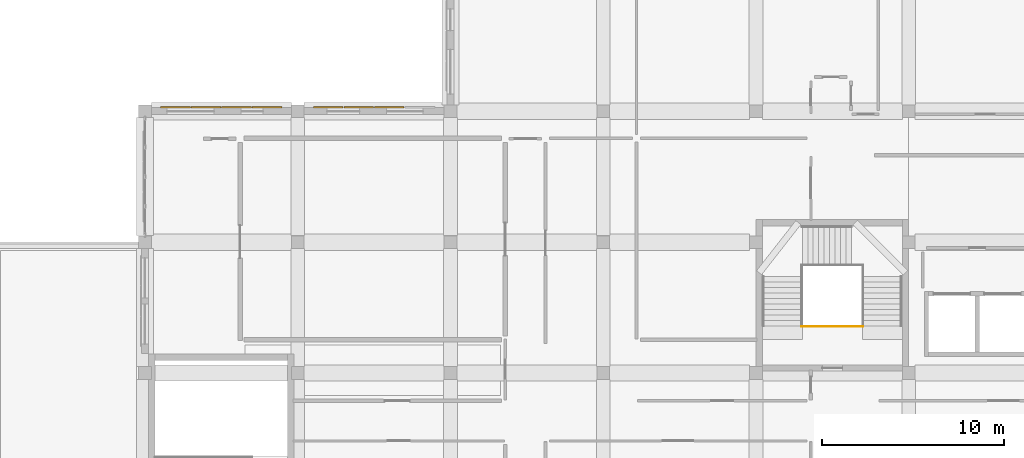
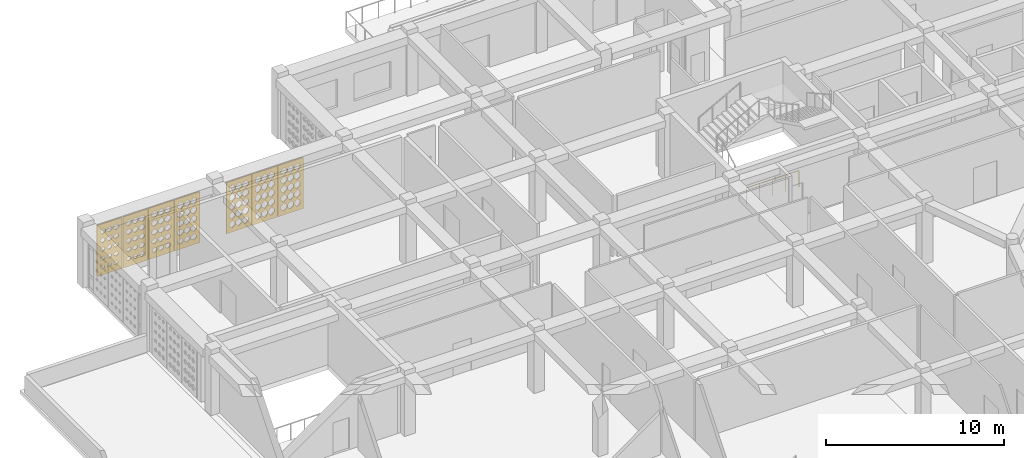
# One storey, part 70 of 79: 7 coverings, 1 railing.
"""IFC4 building model written with IfcOpenShell, lengths in metres."""

from ifc_helpers import new_model, si_unit, derived_unit, direction, frame, origin, origin_2d, place, context, subcontext, project, spatial, polyline, circle, outline, extrude, material, layer, layer_set, type_object, element, save


model = new_model("IFC4")

# Units and contexts
model_context = context("Model", 3, precision=1e-05, world=origin(), true_north=direction((0.0, 1.0)))
body_context = subcontext(model_context, "Body", "Model", "MODEL_VIEW")
ifc_project = project(units=[si_unit("LENGTHUNIT", "METRE"), si_unit("AREAUNIT", "SQUARE_METRE"), si_unit("VOLUMEUNIT", "CUBIC_METRE"), si_unit("PLANEANGLEUNIT", "RADIAN"), si_unit("MASSUNIT", "GRAM", prefix="KILO"), derived_unit("THERMALTRANSMITTANCEUNIT", [(si_unit("POWERUNIT", "WATT"), 1), (si_unit("LENGTHUNIT", "METRE"), -2), (si_unit("THERMODYNAMICTEMPERATUREUNIT", "KELVIN"), -1)])], contexts=[model_context])

# Site, building, storey
site_placement = place(None, origin())
site = spatial("IfcSite", under=ifc_project, at=site_placement, CompositionType="ELEMENT")
building_placement = place(site_placement, origin())
building = spatial("IfcBuilding", under=site, at=building_placement, Name="Veybourne Emporium", CompositionType="ELEMENT")
storey_placement = place(building_placement, frame((0.0, 0.0, 18.89990234375)))
storey = spatial("IfcBuildingStorey", under=building, at=storey_placement, Name="L04", CompositionType="ELEMENT", Elevation=18.89990234375)

# Railing
ifc_material_1 = material(Name="Brushed Stainless Steel", Category="steel")
railing_type = type_object("IfcRailingType", Name="Guard_GR-01", PredefinedType="GUARDRAIL", material=ifc_material_1)
railing_placement = place(storey_placement, frame((52.909912109375, 74.56005859375, 0.0)))
element("IfcRailing", 1, at=railing_placement, inside=storey, type_object=railing_type, Name="L04 ST-03 stair guard 4", PredefinedType="GUARDRAIL", context=body_context, shape_type="SweptSolid", body=[
    extrude(circle(Radius=0.02392578125, at=origin_2d()), frame((0.0, 0.0, 1.1259765625), z_axis=(1.0, 0.0, 0.0), x_axis=(0.0, 1.0, 0.0)), (0.0, 0.0, 1.0), 3.380126953125),
    extrude(circle(Radius=0.02099609375, at=origin_2d()), origin(), (0.0, 0.0, 1.0), 1.101806640625),
    extrude(circle(Radius=0.02099609375, at=origin_2d()), frame((0.844970703125, 0.0, 0.0)), (0.0, 0.0, 1.0), 1.101806640625),
    extrude(circle(Radius=0.02099609375, at=origin_2d()), frame((1.68994140625, 0.0, 0.0)), (0.0, 0.0, 1.0), 1.101806640625),
    extrude(circle(Radius=0.02099609375, at=origin_2d()), frame((2.53515625, 0.0, 0.0)), (0.0, 0.0, 1.0), 1.101806640625),
    extrude(circle(Radius=0.02099609375, at=origin_2d()), frame((3.380126953125, 0.0, 0.0)), (0.0, 0.0, 1.0), 1.101806640625),
])

# Coverings
ifc_material_2 = material(Name="Warm-White Perforated Aluminium Screen Alloy", Category="aluminium")
ifc_layer_1 = layer(ifc_material_2, 0.06005859375)
ifc_layer_set_1 = layer_set([ifc_layer_1], Name="Warm-White Perforated Aluminium Screen Alloy")
covering_type_1 = type_object("IfcCoveringType", Name="WaveScreen_SCR-01", PredefinedType="CLADDING", material=ifc_layer_set_1)
covering_1_placement = place(storey_placement, frame((21.840087890625, 86.64794921875, 1.815185546875), z_axis=(0.0, -1.0, 0.0), x_axis=(1.0, 0.0, 0.0)))
element("IfcCovering", 2, at=covering_1_placement, inside=storey, type_object=covering_type_1, Name="L04 wave-perforated aluminium screen SCR-01 (17.3)", PredefinedType="CLADDING", context=body_context, shape_type="SweptSolid", body=[
    extrude(outline(polyline([(-0.81982421875, -1.7548828125), (0.81982421875, -1.7548828125), (0.81982421875, 1.7548828125), (-0.81982421875, 1.7548828125), (-0.81982421875, -1.7548828125)]), holes=[polyline([(-0.433349609375, -1.054443359375), (-0.28125, -1.16552734375), (-0.28125, -1.29052734375), (-0.433349609375, -1.401611328125), (-0.585205078125, -1.29052734375), (-0.585205078125, -1.16552734375), (-0.433349609375, -1.054443359375)]), polyline([(-0.433349609375, -0.426513671875), (-0.27001953125, -0.54638671875), (-0.27001953125, -0.681396484375), (-0.433349609375, -0.801513671875), (-0.5966796875, -0.681396484375), (-0.5966796875, -0.54638671875), (-0.433349609375, -0.426513671875)]), polyline([(-0.433349609375, 0.20166015625), (-0.25830078125, 0.072509765625), (-0.25830078125, -0.072509765625), (-0.433349609375, -0.20166015625), (-0.6083984375, -0.072509765625), (-0.6083984375, 0.072509765625), (-0.433349609375, 0.20166015625)]), polyline([(-0.433349609375, 0.82958984375), (-0.2470703125, 0.691650390625), (-0.2470703125, 0.536376953125), (-0.433349609375, 0.3984375), (-0.61962890625, 0.536376953125), (-0.61962890625, 0.691650390625), (-0.433349609375, 0.82958984375)]), polyline([(-0.433349609375, 1.456787109375), (-0.2470703125, 1.310302734375), (-0.2470703125, 1.1455078125), (-0.433349609375, 0.999267578125), (-0.61962890625, 1.1455078125), (-0.61962890625, 1.310302734375), (-0.433349609375, 1.456787109375)]), polyline([(0.0, -1.048095703125), (0.156982421875, -1.163330078125), (0.156982421875, -1.292724609375), (0.0, -1.40771484375), (-0.156982421875, -1.292724609375), (-0.156982421875, -1.163330078125), (0.0, -1.048095703125)]), polyline([(0.0, -0.419921875), (0.168701171875, -0.544189453125), (0.168701171875, -0.683837890625), (0.0, -0.80810546875), (-0.168701171875, -0.683837890625), (-0.168701171875, -0.544189453125), (0.0, -0.419921875)]), polyline([(0.0, 0.2080078125), (0.18017578125, 0.074951171875), (0.18017578125, -0.074951171875), (0.0, -0.2080078125), (-0.18017578125, -0.074951171875), (-0.18017578125, 0.074951171875), (0.0, 0.2080078125)]), polyline([(0.0, 0.835693359375), (0.186279296875, 0.69384765625), (0.186279296875, 0.5341796875), (0.0, 0.392333984375), (-0.186279296875, 0.5341796875), (-0.186279296875, 0.69384765625), (0.0, 0.835693359375)]), polyline([(0.0, 1.46240234375), (0.186279296875, 1.3125), (0.186279296875, 1.1435546875), (0.0, 0.993408203125), (-0.186279296875, 1.1435546875), (-0.186279296875, 1.3125), (0.0, 1.46240234375)]), polyline([(0.433349609375, -1.041748046875), (0.595703125, -1.160888671875), (0.595703125, -1.294921875), (0.433349609375, -1.414306640625), (0.27099609375, -1.294921875), (0.27099609375, -1.160888671875), (0.433349609375, -1.041748046875)]), polyline([(0.433349609375, -0.41357421875), (0.607421875, -0.5419921875), (0.607421875, -0.68603515625), (0.433349609375, -0.814453125), (0.259521484375, -0.68603515625), (0.259521484375, -0.5419921875), (0.433349609375, -0.41357421875)]), polyline([(0.433349609375, 0.21435546875), (0.61865234375, 0.0771484375), (0.61865234375, -0.0771484375), (0.433349609375, -0.21435546875), (0.248046875, -0.0771484375), (0.248046875, 0.0771484375), (0.433349609375, 0.21435546875)]), polyline([(0.433349609375, 0.841552734375), (0.61962890625, 0.69580078125), (0.61962890625, 0.531982421875), (0.433349609375, 0.386474609375), (0.2470703125, 0.531982421875), (0.2470703125, 0.69580078125), (0.433349609375, 0.841552734375)]), polyline([(0.433349609375, 1.468017578125), (0.61962890625, 1.314453125), (0.61962890625, 1.1416015625), (0.433349609375, 0.988037109375), (0.2470703125, 1.1416015625), (0.2470703125, 1.314453125), (0.433349609375, 1.468017578125)])]), origin(), (0.0, 0.0, 1.0), 0.06005859375),
])
ifc_layer_2 = layer(ifc_material_2, 0.06005859375)
ifc_layer_set_2 = layer_set([ifc_layer_2], Name="Warm-White Perforated Aluminium Screen Alloy")
covering_type_2 = type_object("IfcCoveringType", Name="WaveScreen_SCR-02", PredefinedType="CLADDING", material=ifc_layer_set_2)
covering_2_placement = place(storey_placement, frame((23.52001953125, 86.64794921875, 1.815185546875), z_axis=(0.0, -1.0, 0.0), x_axis=(1.0, 0.0, 0.0)))
element("IfcCovering", 3, at=covering_2_placement, inside=storey, type_object=covering_type_2, Name="L04 wave-perforated aluminium screen SCR-02 (17.4)", PredefinedType="CLADDING", context=body_context, shape_type="SweptSolid", body=[
    extrude(outline(polyline([(-0.81982421875, -1.7548828125), (0.81982421875, -1.7548828125), (0.81982421875, 1.7548828125), (-0.81982421875, 1.7548828125), (-0.81982421875, -1.7548828125)]), holes=[polyline([(-0.433349609375, -1.02978515625), (-0.260986328125, -1.156494140625), (-0.260986328125, -1.29931640625), (-0.433349609375, -1.42626953125), (-0.605712890625, -1.29931640625), (-0.605712890625, -1.156494140625), (-0.433349609375, -1.02978515625)]), polyline([(-0.433349609375, -0.401611328125), (-0.24951171875, -0.53759765625), (-0.24951171875, -0.6904296875), (-0.433349609375, -0.826416015625), (-0.616943359375, -0.6904296875), (-0.616943359375, -0.53759765625), (-0.433349609375, -0.401611328125)]), polyline([(-0.433349609375, 0.2255859375), (-0.2470703125, 0.081298828125), (-0.2470703125, -0.081298828125), (-0.433349609375, -0.2255859375), (-0.61962890625, -0.081298828125), (-0.61962890625, 0.081298828125), (-0.433349609375, 0.2255859375)]), polyline([(-0.433349609375, 0.85205078125), (-0.2470703125, 0.69970703125), (-0.2470703125, 0.5283203125), (-0.433349609375, 0.3759765625), (-0.61962890625, 0.5283203125), (-0.61962890625, 0.69970703125), (-0.433349609375, 0.85205078125)]), polyline([(-0.433349609375, 1.477294921875), (-0.2470703125, 1.317626953125), (-0.2470703125, 1.13818359375), (-0.433349609375, 0.978759765625), (-0.61962890625, 1.13818359375), (-0.61962890625, 1.317626953125), (-0.433349609375, 1.477294921875)]), polyline([(0.0, -1.023193359375), (0.177490234375, -1.154296875), (0.177490234375, -1.3017578125), (0.0, -1.4326171875), (-0.177490234375, -1.3017578125), (-0.177490234375, -1.154296875), (0.0, -1.023193359375)]), polyline([(0.0, -0.3955078125), (0.186279296875, -0.535400390625), (0.186279296875, -0.692626953125), (0.0, -0.83251953125), (-0.186279296875, -0.692626953125), (-0.186279296875, -0.535400390625), (0.0, -0.3955078125)]), polyline([(0.0, 0.2314453125), (0.186279296875, 0.083251953125), (0.186279296875, -0.083251953125), (0.0, -0.2314453125), (-0.186279296875, -0.083251953125), (-0.186279296875, 0.083251953125), (0.0, 0.2314453125)]), polyline([(0.0, 0.857421875), (0.186279296875, 0.70166015625), (0.186279296875, 0.5263671875), (0.0, 0.37060546875), (-0.186279296875, 0.5263671875), (-0.186279296875, 0.70166015625), (0.0, 0.857421875)]), polyline([(0.0, 1.481689453125), (0.186279296875, 1.3193359375), (0.186279296875, 1.13671875), (0.0, 0.974365234375), (-0.186279296875, 1.13671875), (-0.186279296875, 1.3193359375), (0.0, 1.481689453125)]), polyline([(0.433349609375, -1.01708984375), (0.615966796875, -1.152099609375), (0.615966796875, -1.303955078125), (0.433349609375, -1.43896484375), (0.250732421875, -1.303955078125), (0.250732421875, -1.152099609375), (0.433349609375, -1.01708984375)]), polyline([(0.433349609375, -0.389404296875), (0.61962890625, -0.533203125), (0.61962890625, -0.69482421875), (0.433349609375, -0.83837890625), (0.2470703125, -0.69482421875), (0.2470703125, -0.533203125), (0.433349609375, -0.389404296875)]), polyline([(0.433349609375, 0.237060546875), (0.61962890625, 0.085205078125), (0.61962890625, -0.085205078125), (0.433349609375, -0.237060546875), (0.2470703125, -0.085205078125), (0.2470703125, 0.085205078125), (0.433349609375, 0.237060546875)]), polyline([(0.433349609375, 0.8623046875), (0.61962890625, 0.703369140625), (0.61962890625, 0.524658203125), (0.433349609375, 0.36572265625), (0.2470703125, 0.524658203125), (0.2470703125, 0.703369140625), (0.433349609375, 0.8623046875)]), polyline([(0.433349609375, 1.48583984375), (0.61962890625, 1.32080078125), (0.61962890625, 1.13525390625), (0.433349609375, 0.97021484375), (0.2470703125, 1.13525390625), (0.2470703125, 1.32080078125), (0.433349609375, 1.48583984375)])]), origin(), (0.0, 0.0, 1.0), 0.06005859375),
])
covering_3_placement = place(storey_placement, frame((26.8798828125, 86.64794921875, 1.815185546875), z_axis=(0.0, -1.0, 0.0), x_axis=(1.0, 0.0, 0.0)))
element("IfcCovering", 4, at=covering_3_placement, inside=storey, type_object=covering_type_2, Name="L04 wave-perforated aluminium screen SCR-02 (20.1)", PredefinedType="CLADDING", context=body_context, shape_type="SweptSolid", body=[
    extrude(outline(polyline([(-0.81982421875, -1.7548828125), (0.81982421875, -1.7548828125), (0.81982421875, 1.7548828125), (-0.81982421875, 1.7548828125), (-0.81982421875, -1.7548828125)]), holes=[polyline([(-0.433349609375, -0.98388671875), (-0.2470703125, -1.14013671875), (-0.2470703125, -1.31591796875), (-0.433349609375, -1.47216796875), (-0.61962890625, -1.31591796875), (-0.61962890625, -1.14013671875), (-0.433349609375, -0.98388671875)]), polyline([(-0.433349609375, -0.359619140625), (-0.2470703125, -0.5224609375), (-0.2470703125, -0.70556640625), (-0.433349609375, -0.868408203125), (-0.61962890625, -0.70556640625), (-0.61962890625, -0.5224609375), (-0.433349609375, -0.359619140625)]), polyline([(-0.433349609375, 0.2626953125), (-0.2470703125, 0.094482421875), (-0.2470703125, -0.094482421875), (-0.433349609375, -0.2626953125), (-0.61962890625, -0.094482421875), (-0.61962890625, 0.094482421875), (-0.433349609375, 0.2626953125)]), polyline([(-0.433349609375, 0.8779296875), (-0.2470703125, 0.708984375), (-0.2470703125, 0.51904296875), (-0.433349609375, 0.35009765625), (-0.61962890625, 0.51904296875), (-0.61962890625, 0.708984375), (-0.433349609375, 0.8779296875)]), polyline([(-0.433349609375, 1.491943359375), (-0.2470703125, 1.322998046875), (-0.2470703125, 1.133056640625), (-0.433349609375, 0.964111328125), (-0.61962890625, 1.133056640625), (-0.61962890625, 1.322998046875), (-0.433349609375, 1.491943359375)]), polyline([(0.0, -0.97900390625), (0.186279296875, -1.138427734375), (0.186279296875, -1.317626953125), (0.0, -1.476806640625), (-0.186279296875, -1.317626953125), (-0.186279296875, -1.138427734375), (0.0, -0.97900390625)]), polyline([(0.0, -0.355712890625), (0.186279296875, -0.52099609375), (0.186279296875, -0.70703125), (0.0, -0.872314453125), (-0.186279296875, -0.70703125), (-0.186279296875, -0.52099609375), (0.0, -0.355712890625)]), polyline([(0.0, 0.263916015625), (0.186279296875, 0.094970703125), (0.186279296875, -0.094970703125), (0.0, -0.263916015625), (-0.186279296875, -0.094970703125), (-0.186279296875, 0.094970703125), (0.0, 0.263916015625)]), polyline([(0.0, 0.8779296875), (0.186279296875, 0.708984375), (0.186279296875, 0.51904296875), (0.0, 0.35009765625), (-0.186279296875, 0.51904296875), (-0.186279296875, 0.708984375), (0.0, 0.8779296875)]), polyline([(0.0, 1.491943359375), (0.186279296875, 1.322998046875), (0.186279296875, 1.133056640625), (0.0, 0.964111328125), (-0.186279296875, 1.133056640625), (-0.186279296875, 1.322998046875), (0.0, 1.491943359375)]), polyline([(0.433349609375, -0.974609375), (0.61962890625, -1.13671875), (0.61962890625, -1.319091796875), (0.433349609375, -1.4814453125), (0.2470703125, -1.319091796875), (0.2470703125, -1.13671875), (0.433349609375, -0.974609375)]), polyline([(0.433349609375, -0.351806640625), (0.61962890625, -0.519775390625), (0.61962890625, -0.708251953125), (0.433349609375, -0.876220703125), (0.2470703125, -0.708251953125), (0.2470703125, -0.519775390625), (0.433349609375, -0.351806640625)]), polyline([(0.433349609375, 0.263916015625), (0.61962890625, 0.094970703125), (0.61962890625, -0.094970703125), (0.433349609375, -0.263916015625), (0.2470703125, -0.094970703125), (0.2470703125, 0.094970703125), (0.433349609375, 0.263916015625)]), polyline([(0.433349609375, 0.8779296875), (0.61962890625, 0.708984375), (0.61962890625, 0.51904296875), (0.433349609375, 0.35009765625), (0.2470703125, 0.51904296875), (0.2470703125, 0.708984375), (0.433349609375, 0.8779296875)]), polyline([(0.433349609375, 1.491943359375), (0.61962890625, 1.322998046875), (0.61962890625, 1.133056640625), (0.433349609375, 0.964111328125), (0.2470703125, 1.133056640625), (0.2470703125, 1.322998046875), (0.433349609375, 1.491943359375)])]), origin(), (0.0, 0.0, 1.0), 0.06005859375),
])
ifc_layer_3 = layer(ifc_material_2, 0.06005859375)
ifc_layer_set_3 = layer_set([ifc_layer_3], Name="Warm-White Perforated Aluminium Screen Alloy")
covering_type_3 = type_object("IfcCoveringType", Name="WaveScreen_SCR-03", PredefinedType="CLADDING", material=ifc_layer_set_3)
covering_4_placement = place(storey_placement, frame((18.47998046875, 86.64794921875, 1.815185546875), z_axis=(0.0, -1.0, 0.0), x_axis=(1.0, 0.0, 0.0)))
element("IfcCovering", 5, at=covering_4_placement, inside=storey, type_object=covering_type_3, Name="L04 wave-perforated aluminium screen SCR-03 (17.1)", PredefinedType="CLADDING", context=body_context, shape_type="SweptSolid", body=[
    extrude(outline(polyline([(-0.81982421875, -1.7548828125), (0.81982421875, -1.7548828125), (0.81982421875, 1.7548828125), (-0.81982421875, 1.7548828125), (-0.81982421875, -1.7548828125)]), holes=[polyline([(-0.433349609375, -1.0966796875), (-0.31591796875, -1.180908203125), (-0.31591796875, -1.275146484375), (-0.433349609375, -1.359130859375), (-0.55078125, -1.275146484375), (-0.55078125, -1.180908203125), (-0.433349609375, -1.0966796875)]), polyline([(-0.433349609375, -0.472412109375), (-0.3076171875, -0.56298828125), (-0.3076171875, -0.6650390625), (-0.433349609375, -0.755615234375), (-0.55908203125, -0.6650390625), (-0.55908203125, -0.56298828125), (-0.433349609375, -0.472412109375)]), polyline([(-0.433349609375, 0.153564453125), (-0.2978515625, 0.05517578125), (-0.2978515625, -0.05517578125), (-0.433349609375, -0.153564453125), (-0.56884765625, -0.05517578125), (-0.56884765625, 0.05517578125), (-0.433349609375, 0.153564453125)]), polyline([(-0.433349609375, 0.780517578125), (-0.287109375, 0.673828125), (-0.287109375, 0.55419921875), (-0.433349609375, 0.447509765625), (-0.57958984375, 0.55419921875), (-0.57958984375, 0.673828125), (-0.433349609375, 0.780517578125)]), polyline([(-0.433349609375, 1.408203125), (-0.27587890625, 1.29296875), (-0.27587890625, 1.1630859375), (-0.433349609375, 1.0478515625), (-0.5908203125, 1.1630859375), (-0.5908203125, 1.29296875), (-0.433349609375, 1.408203125)]), polyline([(0.0, -1.09228515625), (0.12109375, -1.17919921875), (0.12109375, -1.27685546875), (0.0, -1.36376953125), (-0.12109375, -1.27685546875), (-0.12109375, -1.17919921875), (0.0, -1.09228515625)]), polyline([(0.0, -0.46728515625), (0.130126953125, -0.56103515625), (0.130126953125, -0.6669921875), (0.0, -0.7607421875), (-0.130126953125, -0.6669921875), (-0.130126953125, -0.56103515625), (0.0, -0.46728515625)]), polyline([(0.0, 0.1591796875), (0.140380859375, 0.057373046875), (0.140380859375, -0.057373046875), (0.0, -0.1591796875), (-0.140380859375, -0.057373046875), (-0.140380859375, 0.057373046875), (0.0, 0.1591796875)]), polyline([(0.0, 0.78662109375), (0.1513671875, 0.67626953125), (0.1513671875, 0.5517578125), (0.0, 0.44140625), (-0.1513671875, 0.5517578125), (-0.1513671875, 0.67626953125), (0.0, 0.78662109375)]), polyline([(0.0, 1.41455078125), (0.16259765625, 1.295166015625), (0.16259765625, 1.160888671875), (0.0, 1.04150390625), (-0.16259765625, 1.160888671875), (-0.16259765625, 1.295166015625), (0.0, 1.41455078125)]), polyline([(0.433349609375, -1.08740234375), (0.558349609375, -1.177490234375), (0.558349609375, -1.278564453125), (0.433349609375, -1.36865234375), (0.308349609375, -1.278564453125), (0.308349609375, -1.177490234375), (0.433349609375, -1.08740234375)]), polyline([(0.433349609375, -0.461669921875), (0.568115234375, -0.55908203125), (0.568115234375, -0.668701171875), (0.433349609375, -0.766357421875), (0.298583984375, -0.668701171875), (0.298583984375, -0.55908203125), (0.433349609375, -0.461669921875)]), polyline([(0.433349609375, 0.165283203125), (0.57861328125, 0.0595703125), (0.57861328125, -0.0595703125), (0.433349609375, -0.165283203125), (0.2880859375, -0.0595703125), (0.2880859375, 0.0595703125), (0.433349609375, 0.165283203125)]), polyline([(0.433349609375, 0.79296875), (0.589599609375, 0.678466796875), (0.589599609375, 0.549560546875), (0.433349609375, 0.43505859375), (0.27685546875, 0.549560546875), (0.27685546875, 0.678466796875), (0.433349609375, 0.79296875)]), polyline([(0.433349609375, 1.421142578125), (0.601318359375, 1.297607421875), (0.601318359375, 1.158447265625), (0.433349609375, 1.034912109375), (0.265380859375, 1.158447265625), (0.265380859375, 1.297607421875), (0.433349609375, 1.421142578125)])]), origin(), (0.0, 0.0, 1.0), 0.06005859375),
])
covering_5_placement = place(storey_placement, frame((28.56005859375, 86.64794921875, 1.815185546875), z_axis=(0.0, -1.0, 0.0), x_axis=(1.0, 0.0, 0.0)))
element("IfcCovering", 6, at=covering_5_placement, inside=storey, type_object=covering_type_3, Name="L04 wave-perforated aluminium screen SCR-03 (20.2)", PredefinedType="CLADDING", context=body_context, shape_type="SweptSolid", body=[
    extrude(outline(polyline([(-0.81982421875, -1.7548828125), (0.81982421875, -1.7548828125), (0.81982421875, 1.7548828125), (-0.81982421875, 1.7548828125), (-0.81982421875, -1.7548828125)]), holes=[polyline([(-0.433349609375, -0.967041015625), (-0.2470703125, -1.134033203125), (-0.2470703125, -1.322021484375), (-0.433349609375, -1.489013671875), (-0.61962890625, -1.322021484375), (-0.61962890625, -1.134033203125), (-0.433349609375, -0.967041015625)]), polyline([(-0.433349609375, -0.35009765625), (-0.2470703125, -0.51904296875), (-0.2470703125, -0.708984375), (-0.433349609375, -0.8779296875), (-0.61962890625, -0.708984375), (-0.61962890625, -0.51904296875), (-0.433349609375, -0.35009765625)]), polyline([(-0.433349609375, 0.263916015625), (-0.2470703125, 0.094970703125), (-0.2470703125, -0.094970703125), (-0.433349609375, -0.263916015625), (-0.61962890625, -0.094970703125), (-0.61962890625, 0.094970703125), (-0.433349609375, 0.263916015625)]), polyline([(-0.433349609375, 0.8779296875), (-0.2470703125, 0.708984375), (-0.2470703125, 0.51904296875), (-0.433349609375, 0.35009765625), (-0.61962890625, 0.51904296875), (-0.61962890625, 0.708984375), (-0.433349609375, 0.8779296875)]), polyline([(-0.433349609375, 1.491943359375), (-0.2470703125, 1.322998046875), (-0.2470703125, 1.133056640625), (-0.433349609375, 0.964111328125), (-0.61962890625, 1.133056640625), (-0.61962890625, 1.322998046875), (-0.433349609375, 1.491943359375)]), polyline([(0.0, -0.964111328125), (0.186279296875, -1.133056640625), (0.186279296875, -1.322998046875), (0.0, -1.491943359375), (-0.186279296875, -1.322998046875), (-0.186279296875, -1.133056640625), (0.0, -0.964111328125)]), polyline([(0.0, -0.35009765625), (0.186279296875, -0.51904296875), (0.186279296875, -0.708984375), (0.0, -0.8779296875), (-0.186279296875, -0.708984375), (-0.186279296875, -0.51904296875), (0.0, -0.35009765625)]), polyline([(0.0, 0.263916015625), (0.186279296875, 0.094970703125), (0.186279296875, -0.094970703125), (0.0, -0.263916015625), (-0.186279296875, -0.094970703125), (-0.186279296875, 0.094970703125), (0.0, 0.263916015625)]), polyline([(0.0, 0.8779296875), (0.186279296875, 0.708984375), (0.186279296875, 0.51904296875), (0.0, 0.35009765625), (-0.186279296875, 0.51904296875), (-0.186279296875, 0.708984375), (0.0, 0.8779296875)]), polyline([(0.0, 1.491943359375), (0.186279296875, 1.322998046875), (0.186279296875, 1.133056640625), (0.0, 0.964111328125), (-0.186279296875, 1.133056640625), (-0.186279296875, 1.322998046875), (0.0, 1.491943359375)]), polyline([(0.433349609375, -0.964111328125), (0.61962890625, -1.133056640625), (0.61962890625, -1.322998046875), (0.433349609375, -1.491943359375), (0.2470703125, -1.322998046875), (0.2470703125, -1.133056640625), (0.433349609375, -0.964111328125)]), polyline([(0.433349609375, -0.35009765625), (0.61962890625, -0.51904296875), (0.61962890625, -0.708984375), (0.433349609375, -0.8779296875), (0.2470703125, -0.708984375), (0.2470703125, -0.51904296875), (0.433349609375, -0.35009765625)]), polyline([(0.433349609375, 0.263916015625), (0.61962890625, 0.094970703125), (0.61962890625, -0.094970703125), (0.433349609375, -0.263916015625), (0.2470703125, -0.094970703125), (0.2470703125, 0.094970703125), (0.433349609375, 0.263916015625)]), polyline([(0.433349609375, 0.8779296875), (0.61962890625, 0.708984375), (0.61962890625, 0.51904296875), (0.433349609375, 0.35009765625), (0.2470703125, 0.51904296875), (0.2470703125, 0.708984375), (0.433349609375, 0.8779296875)]), polyline([(0.433349609375, 1.491943359375), (0.61962890625, 1.322998046875), (0.61962890625, 1.133056640625), (0.433349609375, 0.964111328125), (0.2470703125, 1.133056640625), (0.2470703125, 1.322998046875), (0.433349609375, 1.491943359375)])]), origin(), (0.0, 0.0, 1.0), 0.06005859375),
])
ifc_layer_4 = layer(ifc_material_2, 0.06005859375)
ifc_layer_set_4 = layer_set([ifc_layer_4], Name="Warm-White Perforated Aluminium Screen Alloy")
covering_type_4 = type_object("IfcCoveringType", Name="WaveScreen_SCR-04", PredefinedType="CLADDING", material=ifc_layer_set_4)
covering_6_placement = place(storey_placement, frame((20.159912109375, 86.64794921875, 1.815185546875), z_axis=(0.0, -1.0, 0.0), x_axis=(1.0, 0.0, 0.0)))
element("IfcCovering", 7, at=covering_6_placement, inside=storey, type_object=covering_type_4, Name="L04 wave-perforated aluminium screen SCR-04 (17.2)", PredefinedType="CLADDING", context=body_context, shape_type="SweptSolid", body=[
    extrude(outline(polyline([(-0.81982421875, -1.7548828125), (0.81982421875, -1.7548828125), (0.81982421875, 1.7548828125), (-0.81982421875, 1.7548828125), (-0.81982421875, -1.7548828125)]), holes=[polyline([(-0.433349609375, -1.077392578125), (-0.30029296875, -1.173828125), (-0.30029296875, -1.2822265625), (-0.433349609375, -1.37841796875), (-0.56640625, -1.2822265625), (-0.56640625, -1.173828125), (-0.433349609375, -1.077392578125)]), polyline([(-0.433349609375, -0.45068359375), (-0.289794921875, -0.55517578125), (-0.289794921875, -0.6728515625), (-0.433349609375, -0.77734375), (-0.576904296875, -0.6728515625), (-0.576904296875, -0.55517578125), (-0.433349609375, -0.45068359375)]), polyline([(-0.433349609375, 0.177001953125), (-0.278564453125, 0.063720703125), (-0.278564453125, -0.063720703125), (-0.433349609375, -0.177001953125), (-0.588134765625, -0.063720703125), (-0.588134765625, 0.063720703125), (-0.433349609375, 0.177001953125)]), polyline([(-0.433349609375, 0.804931640625), (-0.26708984375, 0.6826171875), (-0.26708984375, 0.54541015625), (-0.433349609375, 0.423095703125), (-0.599609375, 0.54541015625), (-0.599609375, 0.6826171875), (-0.433349609375, 0.804931640625)]), polyline([(-0.433349609375, 1.43310546875), (-0.255615234375, 1.3017578125), (-0.255615234375, 1.154296875), (-0.433349609375, 1.02294921875), (-0.611083984375, 1.154296875), (-0.611083984375, 1.3017578125), (-0.433349609375, 1.43310546875)]), polyline([(0.0, -1.072021484375), (0.1376953125, -1.171875), (0.1376953125, -1.2841796875), (0.0, -1.384033203125), (-0.1376953125, -1.2841796875), (-0.1376953125, -1.171875), (0.0, -1.072021484375)]), polyline([(0.0, -0.444580078125), (0.148681640625, -0.552978515625), (0.148681640625, -0.675048828125), (0.0, -0.783447265625), (-0.148681640625, -0.675048828125), (-0.148681640625, -0.552978515625), (0.0, -0.444580078125)]), polyline([(0.0, 0.18310546875), (0.159912109375, 0.06591796875), (0.159912109375, -0.06591796875), (0.0, -0.18310546875), (-0.159912109375, -0.06591796875), (-0.159912109375, 0.06591796875), (0.0, 0.18310546875)]), polyline([(0.0, 0.811279296875), (0.17138671875, 0.68505859375), (0.17138671875, 0.54296875), (0.0, 0.41650390625), (-0.17138671875, 0.54296875), (-0.17138671875, 0.68505859375), (0.0, 0.811279296875)]), polyline([(0.0, 1.439453125), (0.18310546875, 1.30419921875), (0.18310546875, 1.15185546875), (0.0, 1.0166015625), (-0.18310546875, 1.15185546875), (-0.18310546875, 1.30419921875), (0.0, 1.439453125)]), polyline([(0.433349609375, -1.06591796875), (0.575927734375, -1.169677734375), (0.575927734375, -1.286376953125), (0.433349609375, -1.389892578125), (0.290771484375, -1.286376953125), (0.290771484375, -1.169677734375), (0.433349609375, -1.06591796875)]), polyline([(0.433349609375, -0.4384765625), (0.5869140625, -0.55078125), (0.5869140625, -0.67724609375), (0.433349609375, -0.78955078125), (0.27978515625, -0.67724609375), (0.27978515625, -0.55078125), (0.433349609375, -0.4384765625)]), polyline([(0.433349609375, 0.189697265625), (0.598388671875, 0.068359375), (0.598388671875, -0.068359375), (0.433349609375, -0.189697265625), (0.268310546875, -0.068359375), (0.268310546875, 0.068359375), (0.433349609375, 0.189697265625)]), polyline([(0.433349609375, 0.81787109375), (0.610107421875, 0.6875), (0.610107421875, 0.54052734375), (0.433349609375, 0.41015625), (0.256591796875, 0.54052734375), (0.256591796875, 0.6875), (0.433349609375, 0.81787109375)]), polyline([(0.433349609375, 1.445556640625), (0.61962890625, 1.306396484375), (0.61962890625, 1.149658203125), (0.433349609375, 1.010498046875), (0.2470703125, 1.149658203125), (0.2470703125, 1.306396484375), (0.433349609375, 1.445556640625)])]), origin(), (0.0, 0.0, 1.0), 0.06005859375),
])
covering_7_placement = place(storey_placement, frame((30.239990234375, 86.64794921875, 1.815185546875), z_axis=(0.0, -1.0, 0.0), x_axis=(1.0, 0.0, 0.0)))
element("IfcCovering", 8, at=covering_7_placement, inside=storey, type_object=covering_type_4, Name="L04 wave-perforated aluminium screen SCR-04 (20.3)", PredefinedType="CLADDING", context=body_context, shape_type="SweptSolid", body=[
    extrude(outline(polyline([(-0.81982421875, -1.7548828125), (0.81982421875, -1.7548828125), (0.81982421875, 1.7548828125), (-0.81982421875, 1.7548828125), (-0.81982421875, -1.7548828125)]), holes=[polyline([(-0.433349609375, -0.964111328125), (-0.2470703125, -1.133056640625), (-0.2470703125, -1.322998046875), (-0.433349609375, -1.491943359375), (-0.61962890625, -1.322998046875), (-0.61962890625, -1.133056640625), (-0.433349609375, -0.964111328125)]), polyline([(-0.433349609375, -0.35009765625), (-0.2470703125, -0.51904296875), (-0.2470703125, -0.708984375), (-0.433349609375, -0.8779296875), (-0.61962890625, -0.708984375), (-0.61962890625, -0.51904296875), (-0.433349609375, -0.35009765625)]), polyline([(-0.433349609375, 0.263916015625), (-0.2470703125, 0.094970703125), (-0.2470703125, -0.094970703125), (-0.433349609375, -0.263916015625), (-0.61962890625, -0.094970703125), (-0.61962890625, 0.094970703125), (-0.433349609375, 0.263916015625)]), polyline([(-0.433349609375, 0.8779296875), (-0.2470703125, 0.708984375), (-0.2470703125, 0.51904296875), (-0.433349609375, 0.35009765625), (-0.61962890625, 0.51904296875), (-0.61962890625, 0.708984375), (-0.433349609375, 0.8779296875)]), polyline([(-0.433349609375, 1.491943359375), (-0.2470703125, 1.322998046875), (-0.2470703125, 1.133056640625), (-0.433349609375, 0.964111328125), (-0.61962890625, 1.133056640625), (-0.61962890625, 1.322998046875), (-0.433349609375, 1.491943359375)]), polyline([(0.0, -0.964111328125), (0.186279296875, -1.133056640625), (0.186279296875, -1.322998046875), (0.0, -1.491943359375), (-0.186279296875, -1.322998046875), (-0.186279296875, -1.133056640625), (0.0, -0.964111328125)]), polyline([(0.0, -0.35009765625), (0.186279296875, -0.51904296875), (0.186279296875, -0.708984375), (0.0, -0.8779296875), (-0.186279296875, -0.708984375), (-0.186279296875, -0.51904296875), (0.0, -0.35009765625)]), polyline([(0.0, 0.263916015625), (0.186279296875, 0.094970703125), (0.186279296875, -0.094970703125), (0.0, -0.263916015625), (-0.186279296875, -0.094970703125), (-0.186279296875, 0.094970703125), (0.0, 0.263916015625)]), polyline([(0.0, 0.8779296875), (0.186279296875, 0.708984375), (0.186279296875, 0.51904296875), (0.0, 0.35009765625), (-0.186279296875, 0.51904296875), (-0.186279296875, 0.708984375), (0.0, 0.8779296875)]), polyline([(0.0, 1.491943359375), (0.186279296875, 1.322998046875), (0.186279296875, 1.133056640625), (0.0, 0.964111328125), (-0.186279296875, 1.133056640625), (-0.186279296875, 1.322998046875), (0.0, 1.491943359375)]), polyline([(0.433349609375, -0.964111328125), (0.61962890625, -1.133056640625), (0.61962890625, -1.322998046875), (0.433349609375, -1.491943359375), (0.2470703125, -1.322998046875), (0.2470703125, -1.133056640625), (0.433349609375, -0.964111328125)]), polyline([(0.433349609375, -0.35009765625), (0.61962890625, -0.51904296875), (0.61962890625, -0.708984375), (0.433349609375, -0.8779296875), (0.2470703125, -0.708984375), (0.2470703125, -0.51904296875), (0.433349609375, -0.35009765625)]), polyline([(0.433349609375, 0.263916015625), (0.61962890625, 0.094970703125), (0.61962890625, -0.094970703125), (0.433349609375, -0.263916015625), (0.2470703125, -0.094970703125), (0.2470703125, 0.094970703125), (0.433349609375, 0.263916015625)]), polyline([(0.433349609375, 0.8779296875), (0.61962890625, 0.708984375), (0.61962890625, 0.51904296875), (0.433349609375, 0.35009765625), (0.2470703125, 0.51904296875), (0.2470703125, 0.708984375), (0.433349609375, 0.8779296875)]), polyline([(0.433349609375, 1.49072265625), (0.61962890625, 1.322509765625), (0.61962890625, 1.13330078125), (0.433349609375, 0.96533203125), (0.2470703125, 1.13330078125), (0.2470703125, 1.322509765625), (0.433349609375, 1.49072265625)])]), origin(), (0.0, 0.0, 1.0), 0.06005859375),
])

save(model, "model.ifc")
